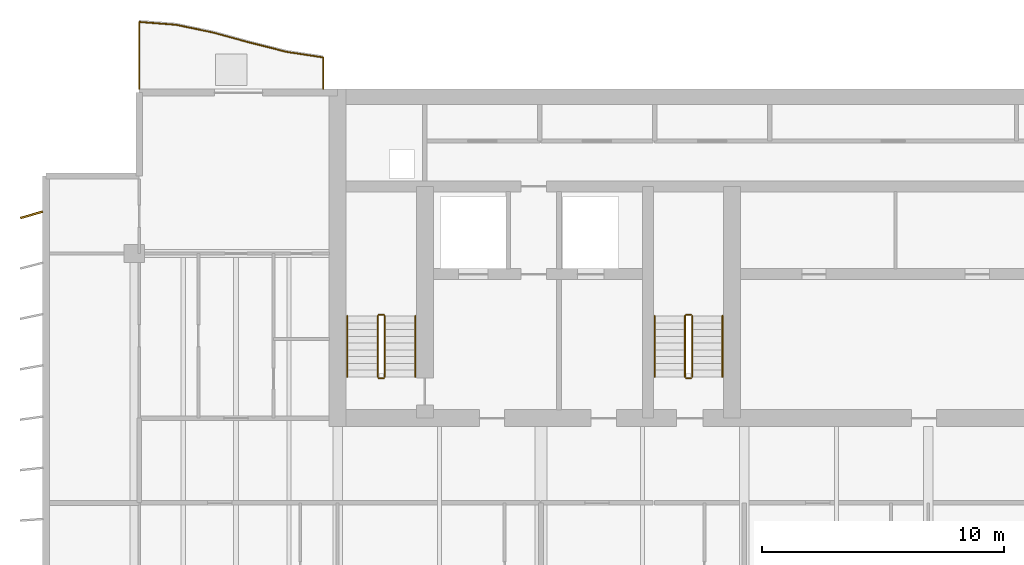
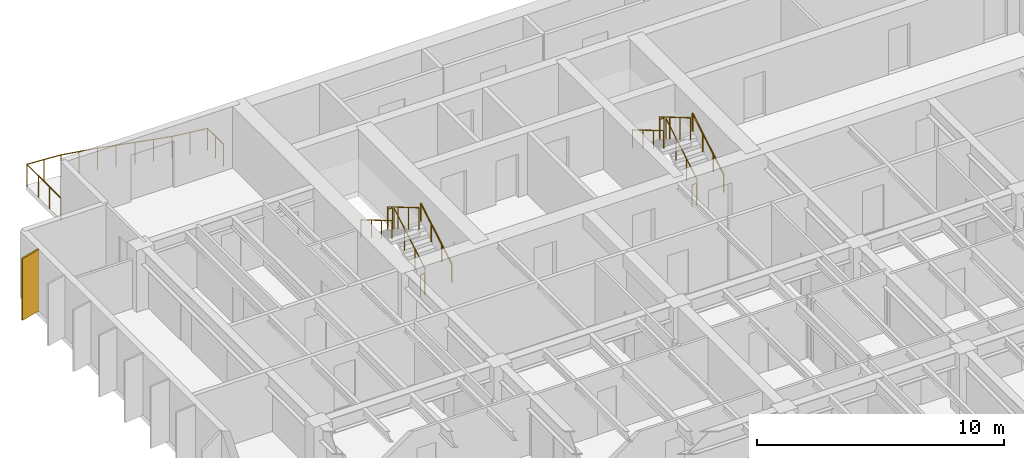
# One storey, part 17 of 19: 13 railings, 1 shading device.
"""IFC4 building model written with IfcOpenShell, lengths in metres."""

from ifc_helpers import new_model, si_unit, direction, frame, origin, origin_2d, place, context, subcontext, project, spatial, rectangle, circle, extrude, material, material_profile, profile_set, type_object, element, save


model = new_model("IFC4")

# Units and contexts
model_context = context("Model", 3, precision=1e-05, world=origin(), true_north=direction((0.0, 1.0)))
body_context = subcontext(model_context, "Body", "Model", "MODEL_VIEW")
ifc_project = project(units=[si_unit("LENGTHUNIT", "METRE"), si_unit("AREAUNIT", "SQUARE_METRE"), si_unit("VOLUMEUNIT", "CUBIC_METRE"), si_unit("PLANEANGLEUNIT", "RADIAN"), si_unit("MASSUNIT", "GRAM", prefix="KILO")], contexts=[model_context])

# Site, building, storey
site_placement = place(None, origin())
site = spatial("IfcSite", under=ifc_project, at=site_placement, CompositionType="ELEMENT")
building_placement = place(site_placement, origin())
building = spatial("IfcBuilding", under=site, at=building_placement, Name="Caelmar Bay Residences", CompositionType="ELEMENT")
storey_placement = place(building_placement, frame((0.0, 0.0, 191.699951171875)))
storey = spatial("IfcBuildingStorey", under=building, at=storey_placement, Name="L53", CompositionType="ELEMENT", Elevation=191.699951171875)

# Railings
ifc_material_1 = material(Name="Anodised bronze handrail with laminated hurricane glass infill", Category="glass")
railing_type_1 = type_object("IfcRailingType", Name="RL-BAL-1100", PredefinedType="BALUSTRADE", material=ifc_material_1)
railing_1_placement = place(storey_placement, frame((17.699951171875, 50.60009765625, 0.0)))
element("IfcRailing", 1, at=railing_1_placement, inside=storey, type_object=railing_type_1, Name="L53 north_west Balcony Balustrade", PredefinedType="BALUSTRADE", context=body_context, shape_type="SweptSolid", body=[
    extrude(circle(Radius=0.02392578125, at=origin_2d()), frame((0.0, 0.0, 1.076171875), z_axis=(0.0, 1.0, 0.0), x_axis=(-1.0, 0.0, 0.0)), (0.0, 0.0, 1.0), 1.30322265625),
    extrude(circle(Radius=0.02392578125, at=origin_2d()), frame((0.0, 1.30322265625, 1.076171875), z_axis=(-0.988581843738, 0.150684897158, 0.0), x_axis=(-0.150684897158, -0.988581843738, 0.0)), (0.0, 0.0, 1.0), 1.53759765625),
    extrude(circle(Radius=0.02392578125, at=origin_2d()), frame((-1.52001953125, 1.534912109375, 1.076171875), z_axis=(-0.969497919705, 0.245099538326, 0.0), x_axis=(-0.245099538326, -0.969497919705, 0.0)), (0.0, 0.0, 1.0), 1.56787109375),
    extrude(circle(Radius=0.02392578125, at=origin_2d()), frame((-3.0400390625, 1.919189453125, 1.076171875), z_axis=(-0.964527479323, 0.263982464627, 0.0), x_axis=(-0.263982464627, -0.964527479323, 0.0)), (0.0, 0.0, 1.0), 1.575927734375),
    extrude(circle(Radius=0.02392578125, at=origin_2d()), frame((-4.56005859375, 2.335205078125, 1.076171875), z_axis=(-0.978976494466, 0.20397309451, 0.0), x_axis=(-0.20397309451, -0.978976494466, 0.0)), (0.0, 0.0, 1.0), 1.552490234375),
    extrude(circle(Radius=0.02392578125, at=origin_2d()), frame((-6.079833984375, 2.65185546875, 1.076171875), z_axis=(-0.996991988413, 0.077504677544, 0.0), x_axis=(-0.077504677544, -0.996991988413, 0.0)), (0.0, 0.0, 1.0), 1.524658203125),
    extrude(circle(Radius=0.02392578125, at=origin_2d()), frame((-7.599853515625, 2.77001953125, 1.076171875), z_axis=(0.0, -1.0, 0.0), x_axis=(1.0, 0.0, 0.0)), (0.0, 0.0, 1.0), 2.77001953125),
    extrude(circle(Radius=0.02099609375, at=origin_2d()), origin(), (0.0, 0.0, 1.0), 1.052001953125),
    extrude(circle(Radius=0.02099609375, at=origin_2d()), frame((0.0, 0.651611328125, 0.0)), (0.0, 0.0, 1.0), 1.052001953125),
    extrude(circle(Radius=0.02099609375, at=origin_2d()), frame((0.0, 1.30322265625, 0.0)), (0.0, 0.0, 1.0), 1.052001953125),
    extrude(circle(Radius=0.02099609375, at=origin_2d()), frame((-0.760009765625, 1.4189453125, 0.0)), (0.0, 0.0, 1.0), 1.052001953125),
    extrude(circle(Radius=0.02099609375, at=origin_2d()), frame((-1.52001953125, 1.534912109375, 0.0)), (0.0, 0.0, 1.0), 1.052001953125),
    extrude(circle(Radius=0.02099609375, at=origin_2d()), frame((-2.280029296875, 1.72705078125, 0.0)), (0.0, 0.0, 1.0), 1.052001953125),
    extrude(circle(Radius=0.02099609375, at=origin_2d()), frame((-3.0400390625, 1.919189453125, 0.0)), (0.0, 0.0, 1.0), 1.052001953125),
    extrude(circle(Radius=0.02099609375, at=origin_2d()), frame((-3.800048828125, 2.127197265625, 0.0)), (0.0, 0.0, 1.0), 1.052001953125),
    extrude(circle(Radius=0.02099609375, at=origin_2d()), frame((-4.56005859375, 2.335205078125, 0.0)), (0.0, 0.0, 1.0), 1.052001953125),
    extrude(circle(Radius=0.02099609375, at=origin_2d()), frame((-5.31982421875, 2.49365234375, 0.0)), (0.0, 0.0, 1.0), 1.052001953125),
    extrude(circle(Radius=0.02099609375, at=origin_2d()), frame((-6.079833984375, 2.65185546875, 0.0)), (0.0, 0.0, 1.0), 1.052001953125),
    extrude(circle(Radius=0.02099609375, at=origin_2d()), frame((-6.83984375, 2.7109375, 0.0)), (0.0, 0.0, 1.0), 1.052001953125),
    extrude(circle(Radius=0.02099609375, at=origin_2d()), frame((-7.599853515625, 2.77001953125, 0.0)), (0.0, 0.0, 1.0), 1.052001953125),
    extrude(circle(Radius=0.02099609375, at=origin_2d()), frame((-7.599853515625, 1.8466796875, 0.0)), (0.0, 0.0, 1.0), 1.052001953125),
    extrude(circle(Radius=0.02099609375, at=origin_2d()), frame((-7.599853515625, 0.92333984375, 0.0)), (0.0, 0.0, 1.0), 1.052001953125),
    extrude(circle(Radius=0.02099609375, at=origin_2d()), frame((-7.599853515625, 0.0, 0.0)), (0.0, 0.0, 1.0), 1.052001953125),
])
ifc_material_2 = material(Name="Painted galvanized steel stair guard 1100 mm", Category="steel")
railing_type_2 = type_object("IfcRailingType", Name="RL-GRD-1100", PredefinedType="GUARDRAIL", material=ifc_material_2)
railing_2_placement = place(storey_placement, frame((20.25, 38.699951171875, 0.1650390625)))
element("IfcRailing", 2, at=railing_2_placement, inside=storey, type_object=railing_type_2, Name="L53 ST1 stair guard 1", PredefinedType="GUARDRAIL", context=body_context, shape_type="SweptSolid", body=[
    extrude(circle(Radius=0.02392578125, at=origin_2d()), frame((0.0, 0.0, 1.076171875), z_axis=(0.0, 0.86152411907, 0.507716645641), x_axis=(-1.0, 0.0, 0.0)), (0.0, 0.0, 1.0), 2.925048828125),
    extrude(circle(Radius=0.02099609375, at=origin_2d()), origin(), (0.0, 0.0, 1.0), 1.052001953125),
    extrude(circle(Radius=0.02099609375, at=origin_2d()), frame((0.0, 0.840087890625, 0.4951171875)), (0.0, 0.0, 1.0), 1.052001953125),
    extrude(circle(Radius=0.02099609375, at=origin_2d()), frame((0.0, 1.679931640625, 0.989990234375)), (0.0, 0.0, 1.0), 1.052001953125),
    extrude(circle(Radius=0.02099609375, at=origin_2d()), frame((0.0, 2.52001953125, 1.485107421875)), (0.0, 0.0, 1.0), 1.052001953125),
])
railing_3_placement = place(storey_placement, frame((20.199951171875, 41.27001953125, 1.650146484375)))
element("IfcRailing", 3, at=railing_3_placement, inside=storey, type_object=railing_type_2, Name="L53 ST1 stair guard 2", PredefinedType="GUARDRAIL", context=body_context, shape_type="SweptSolid", body=[
    extrude(circle(Radius=0.02392578125, at=origin_2d()), frame((0.0, 0.0, 1.076171875), z_axis=(-1.0, 0.0, 0.0), x_axis=(0.0, -1.0, 0.0)), (0.0, 0.0, 1.0), 0.199951171875),
    extrude(circle(Radius=0.02099609375, at=origin_2d()), origin(), (0.0, 0.0, 1.0), 1.052001953125),
    extrude(circle(Radius=0.02099609375, at=origin_2d()), frame((-0.199951171875, 0.0, 0.0)), (0.0, 0.0, 1.0), 1.052001953125),
])
railing_4_placement = place(storey_placement, frame((19.949951171875, 41.219970703125, 1.81494140625)))
element("IfcRailing", 4, at=railing_4_placement, inside=storey, type_object=railing_type_2, Name="L53 ST1 stair guard 3", PredefinedType="GUARDRAIL", context=body_context, shape_type="SweptSolid", body=[
    extrude(circle(Radius=0.02392578125, at=origin_2d()), frame((0.0, 0.0, 1.076171875), z_axis=(0.0, -0.86152411907, 0.507716645641), x_axis=(1.0, 0.0, 0.0)), (0.0, 0.0, 1.0), 2.925048828125),
    extrude(circle(Radius=0.02099609375, at=origin_2d()), origin(), (0.0, 0.0, 1.0), 1.052001953125),
    extrude(circle(Radius=0.02099609375, at=origin_2d()), frame((0.0, -0.840087890625, 0.4951171875)), (0.0, 0.0, 1.0), 1.052001953125),
    extrude(circle(Radius=0.02099609375, at=origin_2d()), frame((0.0, -1.679931640625, 0.989990234375)), (0.0, 0.0, 1.0), 1.052001953125),
    extrude(circle(Radius=0.02099609375, at=origin_2d()), frame((0.0, -2.52001953125, 1.485107421875)), (0.0, 0.0, 1.0), 1.052001953125),
])
railing_5_placement = place(storey_placement, frame((20.199951171875, 38.64990234375, 0.0)))
element("IfcRailing", 5, at=railing_5_placement, inside=storey, type_object=railing_type_2, Name="L53 ST1 stair guard 4", PredefinedType="GUARDRAIL", context=body_context, shape_type="SweptSolid", body=[
    extrude(circle(Radius=0.02392578125, at=origin_2d()), frame((0.0, 0.0, 1.076171875), z_axis=(-1.0, 0.0, 0.0), x_axis=(0.0, -1.0, 0.0)), (0.0, 0.0, 1.0), 0.199951171875),
    extrude(circle(Radius=0.02099609375, at=origin_2d()), origin(), (0.0, 0.0, 1.0), 1.052001953125),
    extrude(circle(Radius=0.02099609375, at=origin_2d()), frame((-0.199951171875, 0.0, 0.0)), (0.0, 0.0, 1.0), 1.052001953125),
])
railing_6_placement = place(storey_placement, frame((32.949951171875, 38.699951171875, 0.1650390625)))
element("IfcRailing", 6, at=railing_6_placement, inside=storey, type_object=railing_type_2, Name="L53 ST3 stair guard 1", PredefinedType="GUARDRAIL", context=body_context, shape_type="SweptSolid", body=[
    extrude(circle(Radius=0.02392578125, at=origin_2d()), frame((0.0, 0.0, 1.076171875), z_axis=(0.0, 0.86152411907, 0.507716645641), x_axis=(-1.0, 0.0, 0.0)), (0.0, 0.0, 1.0), 2.925048828125),
    extrude(circle(Radius=0.02099609375, at=origin_2d()), origin(), (0.0, 0.0, 1.0), 1.052001953125),
    extrude(circle(Radius=0.02099609375, at=origin_2d()), frame((0.0, 0.840087890625, 0.4951171875)), (0.0, 0.0, 1.0), 1.052001953125),
    extrude(circle(Radius=0.02099609375, at=origin_2d()), frame((0.0, 1.679931640625, 0.989990234375)), (0.0, 0.0, 1.0), 1.052001953125),
    extrude(circle(Radius=0.02099609375, at=origin_2d()), frame((0.0, 2.52001953125, 1.485107421875)), (0.0, 0.0, 1.0), 1.052001953125),
])
railing_7_placement = place(storey_placement, frame((32.89990234375, 41.27001953125, 1.650146484375)))
element("IfcRailing", 7, at=railing_7_placement, inside=storey, type_object=railing_type_2, Name="L53 ST3 stair guard 2", PredefinedType="GUARDRAIL", context=body_context, shape_type="SweptSolid", body=[
    extrude(circle(Radius=0.02392578125, at=origin_2d()), frame((0.0, 0.0, 1.076171875), z_axis=(-1.0, 0.0, 0.0), x_axis=(0.0, -1.0, 0.0)), (0.0, 0.0, 1.0), 0.199951171875),
    extrude(circle(Radius=0.02099609375, at=origin_2d()), origin(), (0.0, 0.0, 1.0), 1.052001953125),
    extrude(circle(Radius=0.02099609375, at=origin_2d()), frame((-0.199951171875, 0.0, 0.0)), (0.0, 0.0, 1.0), 1.052001953125),
])
railing_8_placement = place(storey_placement, frame((32.64990234375, 41.219970703125, 1.81494140625)))
element("IfcRailing", 8, at=railing_8_placement, inside=storey, type_object=railing_type_2, Name="L53 ST3 stair guard 3", PredefinedType="GUARDRAIL", context=body_context, shape_type="SweptSolid", body=[
    extrude(circle(Radius=0.02392578125, at=origin_2d()), frame((0.0, 0.0, 1.076171875), z_axis=(0.0, -0.86152411907, 0.507716645641), x_axis=(1.0, 0.0, 0.0)), (0.0, 0.0, 1.0), 2.925048828125),
    extrude(circle(Radius=0.02099609375, at=origin_2d()), origin(), (0.0, 0.0, 1.0), 1.052001953125),
    extrude(circle(Radius=0.02099609375, at=origin_2d()), frame((0.0, -0.840087890625, 0.4951171875)), (0.0, 0.0, 1.0), 1.052001953125),
    extrude(circle(Radius=0.02099609375, at=origin_2d()), frame((0.0, -1.679931640625, 0.989990234375)), (0.0, 0.0, 1.0), 1.052001953125),
    extrude(circle(Radius=0.02099609375, at=origin_2d()), frame((0.0, -2.52001953125, 1.485107421875)), (0.0, 0.0, 1.0), 1.052001953125),
])
railing_9_placement = place(storey_placement, frame((32.89990234375, 38.64990234375, 0.0)))
element("IfcRailing", 9, at=railing_9_placement, inside=storey, type_object=railing_type_2, Name="L53 ST3 stair guard 4", PredefinedType="GUARDRAIL", context=body_context, shape_type="SweptSolid", body=[
    extrude(circle(Radius=0.02392578125, at=origin_2d()), frame((0.0, 0.0, 1.076171875), z_axis=(-1.0, 0.0, 0.0), x_axis=(0.0, -1.0, 0.0)), (0.0, 0.0, 1.0), 0.199951171875),
    extrude(circle(Radius=0.02099609375, at=origin_2d()), origin(), (0.0, 0.0, 1.0), 1.052001953125),
    extrude(circle(Radius=0.02099609375, at=origin_2d()), frame((-0.199951171875, 0.0, 0.0)), (0.0, 0.0, 1.0), 1.052001953125),
])
ifc_material_3 = material(Name="Brushed bronze stainless-steel tubular handrail 900 mm", Category="steel")
railing_type_3 = type_object("IfcRailingType", Name="RL-HND-900", PredefinedType="HANDRAIL", material=ifc_material_3)
railing_10_placement = place(storey_placement, frame((21.5, 38.699951171875, 0.1650390625)))
element("IfcRailing", 10, at=railing_10_placement, inside=storey, type_object=railing_type_3, Name="L53 ST1 stair handrail 1", PredefinedType="HANDRAIL", context=body_context, shape_type="SweptSolid", body=[
    extrude(circle(Radius=0.02392578125, at=origin_2d()), frame((0.0, 0.0, 0.8759765625), z_axis=(0.0, 0.86152411907, 0.507716645641), x_axis=(-1.0, 0.0, 0.0)), (0.0, 0.0, 1.0), 2.925048828125),
    extrude(circle(Radius=0.02099609375, at=origin_2d()), origin(), (0.0, 0.0, 1.0), 0.851806640625),
    extrude(circle(Radius=0.02099609375, at=origin_2d()), frame((0.0, 0.840087890625, 0.4951171875)), (0.0, 0.0, 1.0), 0.851806640625),
    extrude(circle(Radius=0.02099609375, at=origin_2d()), frame((0.0, 1.679931640625, 0.989990234375)), (0.0, 0.0, 1.0), 0.851806640625),
    extrude(circle(Radius=0.02099609375, at=origin_2d()), frame((0.0, 2.52001953125, 1.485107421875)), (0.0, 0.0, 1.0), 0.851806640625),
])
railing_11_placement = place(storey_placement, frame((18.699951171875, 41.219970703125, 1.81494140625)))
element("IfcRailing", 11, at=railing_11_placement, inside=storey, type_object=railing_type_3, Name="L53 ST1 stair handrail 2", PredefinedType="HANDRAIL", context=body_context, shape_type="SweptSolid", body=[
    extrude(circle(Radius=0.02392578125, at=origin_2d()), frame((0.0, 0.0, 0.8759765625), z_axis=(0.0, -0.86152411907, 0.507716645641), x_axis=(1.0, 0.0, 0.0)), (0.0, 0.0, 1.0), 2.925048828125),
    extrude(circle(Radius=0.02099609375, at=origin_2d()), origin(), (0.0, 0.0, 1.0), 0.851806640625),
    extrude(circle(Radius=0.02099609375, at=origin_2d()), frame((0.0, -0.840087890625, 0.4951171875)), (0.0, 0.0, 1.0), 0.851806640625),
    extrude(circle(Radius=0.02099609375, at=origin_2d()), frame((0.0, -1.679931640625, 0.989990234375)), (0.0, 0.0, 1.0), 0.851806640625),
    extrude(circle(Radius=0.02099609375, at=origin_2d()), frame((0.0, -2.52001953125, 1.485107421875)), (0.0, 0.0, 1.0), 0.851806640625),
])
railing_12_placement = place(storey_placement, frame((34.199951171875, 38.699951171875, 0.1650390625)))
element("IfcRailing", 12, at=railing_12_placement, inside=storey, type_object=railing_type_3, Name="L53 ST3 stair handrail 1", PredefinedType="HANDRAIL", context=body_context, shape_type="SweptSolid", body=[
    extrude(circle(Radius=0.02392578125, at=origin_2d()), frame((0.0, 0.0, 0.8759765625), z_axis=(0.0, 0.86152411907, 0.507716645641), x_axis=(-1.0, 0.0, 0.0)), (0.0, 0.0, 1.0), 2.925048828125),
    extrude(circle(Radius=0.02099609375, at=origin_2d()), origin(), (0.0, 0.0, 1.0), 0.851806640625),
    extrude(circle(Radius=0.02099609375, at=origin_2d()), frame((0.0, 0.840087890625, 0.4951171875)), (0.0, 0.0, 1.0), 0.851806640625),
    extrude(circle(Radius=0.02099609375, at=origin_2d()), frame((0.0, 1.679931640625, 0.989990234375)), (0.0, 0.0, 1.0), 0.851806640625),
    extrude(circle(Radius=0.02099609375, at=origin_2d()), frame((0.0, 2.52001953125, 1.485107421875)), (0.0, 0.0, 1.0), 0.851806640625),
])
railing_13_placement = place(storey_placement, frame((31.39990234375, 41.219970703125, 1.81494140625)))
element("IfcRailing", 13, at=railing_13_placement, inside=storey, type_object=railing_type_3, Name="L53 ST3 stair handrail 2", PredefinedType="HANDRAIL", context=body_context, shape_type="SweptSolid", body=[
    extrude(circle(Radius=0.02392578125, at=origin_2d()), frame((0.0, 0.0, 0.8759765625), z_axis=(0.0, -0.86152411907, 0.507716645641), x_axis=(1.0, 0.0, 0.0)), (0.0, 0.0, 1.0), 2.925048828125),
    extrude(circle(Radius=0.02099609375, at=origin_2d()), origin(), (0.0, 0.0, 1.0), 0.851806640625),
    extrude(circle(Radius=0.02099609375, at=origin_2d()), frame((0.0, -0.840087890625, 0.4951171875)), (0.0, 0.0, 1.0), 0.851806640625),
    extrude(circle(Radius=0.02099609375, at=origin_2d()), frame((0.0, -1.679931640625, 0.989990234375)), (0.0, 0.0, 1.0), 0.851806640625),
    extrude(circle(Radius=0.02099609375, at=origin_2d()), frame((0.0, -2.52001953125, 1.485107421875)), (0.0, 0.0, 1.0), 0.851806640625),
])

# Shading device
ifc_material_4 = material(Name="Anodised architectural bronze aluminium 6063-T6", Category="aluminium")
ifc_material_profile = material_profile(ifc_material_4, rectangle(XDim=0.074951171875, YDim=0.949951171875, at=origin_2d()), Name="BRONZE-FIN-75X950")
ifc_profile_set = profile_set([ifc_material_profile], Name="Anodised architectural bronze aluminium 6063-T6")
shading_device_type = type_object("IfcShadingDeviceType", Name="SHD-FIN-950", PredefinedType="USERDEFINED", material=ifc_profile_set)
shading_device_placement = place(storey_placement, frame((5.64990234375, 45.39990234375, 0.0), z_axis=(0.0, 0.0, 1.0), x_axis=(-0.275637355817, 0.961261695938, 0.0)))
element("IfcShadingDevice", 14, at=shading_device_placement, inside=storey, type_object=shading_device_type, Name="L53 West Bronze Solar Fin 17", ObjectType="FIN", PredefinedType="USERDEFINED", context=body_context, shape_type="SweptSolid", body=[
    extrude(rectangle(XDim=0.074951171875, YDim=0.949951171875, at=origin_2d()), origin(), (0.0, 0.0, 1.0), 3.050048828125),
])

save(model, "model.ifc")
